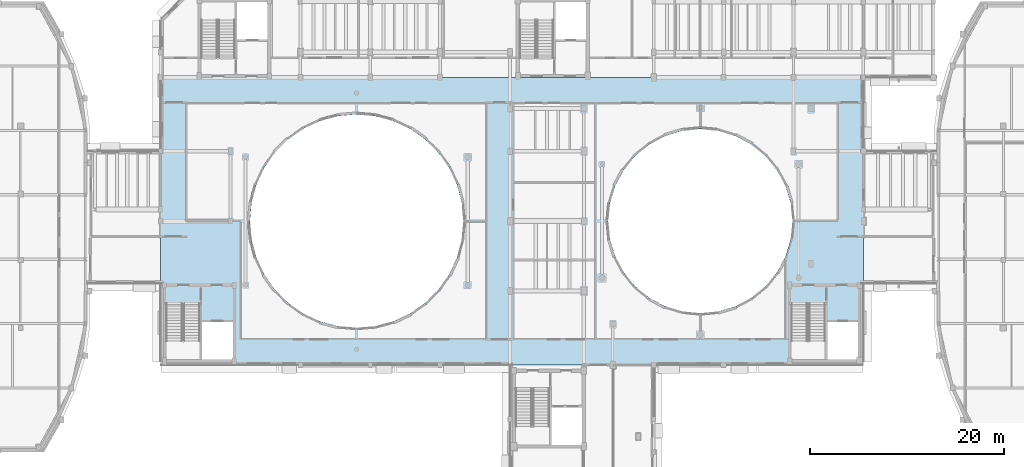
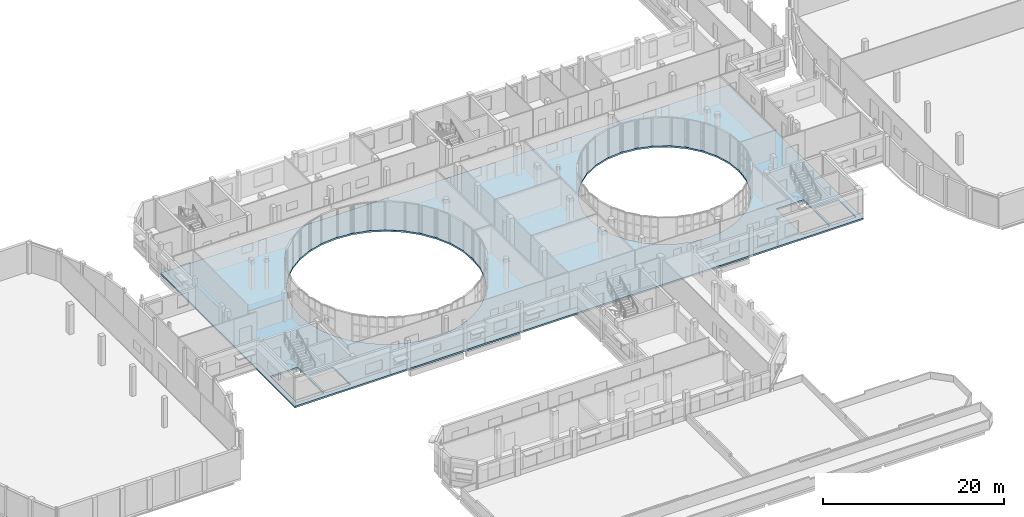
# One storey, part 66 of 105: 1 slab.
"""IFC4 building model written with IfcOpenShell, lengths in metres."""

from ifc_helpers import new_model, si_unit, direction, frame, origin, place, context, subcontext, project, spatial, polyline, outline, extrude, material, layer, layer_set, type_object, element, save


model = new_model("IFC4")

# Units and contexts
model_context = context("Model", 3, precision=1e-05, world=origin(), true_north=direction((0.0, 1.0)))
body_context = subcontext(model_context, "Body", "Model", "MODEL_VIEW")
ifc_project = project(units=[si_unit("LENGTHUNIT", "METRE"), si_unit("AREAUNIT", "SQUARE_METRE"), si_unit("VOLUMEUNIT", "CUBIC_METRE"), si_unit("PLANEANGLEUNIT", "RADIAN"), si_unit("MASSUNIT", "GRAM", prefix="KILO")], contexts=[model_context])

# Site, building, storey
site_placement = place(None, origin())
site = spatial("IfcSite", under=ifc_project, at=site_placement, CompositionType="ELEMENT")
building_placement = place(site_placement, origin())
building = spatial("IfcBuilding", under=site, at=building_placement, Name="Kelanivale Promenade Academy", CompositionType="ELEMENT")
storey_placement = place(building_placement, frame((0.0, 0.0, 4.199951171875)))
storey = spatial("IfcBuildingStorey", under=building, at=storey_placement, Name="L01", CompositionType="ELEMENT", Elevation=4.199951171875)

# Slab
ifc_material = material(Name="Concrete C35/45", Category="concrete")
ifc_layer = layer(ifc_material, 0.219970703125)
ifc_layer_set = layer_set([ifc_layer], Name="Concrete C35/45")
slab_type = type_object("IfcSlabType", Name="FS-01 Slab 220mm", PredefinedType="FLOOR", material=ifc_layer_set)
slab_placement = place(storey_placement, frame((0.0, 0.0, -0.219970703125)))
element("IfcSlab", 1, at=slab_placement, inside=storey, type_object=slab_type, Name="L01 structural slab SLB-L01-V4C", PredefinedType="FLOOR", context=body_context, shape_type="SweptSolid", body=[
    extrude(outline(polyline([(115.60009765625, 42.0), (115.60009765625, 71.60009765625), (43.199951171875, 71.60009765625), (43.199951171875, 42.0), (115.60009765625, 42.0)]), holes=[polyline([(115.034912109375, 42.56494140625), (111.885009765625, 42.56494140625), (111.885009765625, 46.425048828125), (115.034912109375, 46.425048828125), (115.034912109375, 42.56494140625)]), polyline([(111.6650390625, 48.344970703125), (111.6650390625, 42.56494140625), (108.1650390625, 42.56494140625), (108.1650390625, 48.344970703125), (111.6650390625, 48.344970703125)]), polyline([(95.1650390625, 65.576904296875), (96.947021484375, 66.116943359375), (98.800048828125, 66.300048828125), (100.653076171875, 66.116943359375), (102.43505859375, 65.576904296875), (104.077880859375, 64.698974609375), (105.51806640625, 63.51806640625), (106.698974609375, 62.077880859375), (107.576904296875, 60.43505859375), (108.116943359375, 58.653076171875), (108.300048828125, 56.800048828125), (108.116943359375, 54.947021484375), (107.576904296875, 53.1650390625), (106.698974609375, 51.52197265625), (105.51806640625, 50.08203125), (104.077880859375, 48.90087890625), (102.43505859375, 48.02294921875), (100.653076171875, 47.48291015625), (98.800048828125, 47.300048828125), (96.947021484375, 47.48291015625), (95.1650390625, 48.02294921875), (93.52197265625, 48.90087890625), (92.08203125, 50.08203125), (90.90087890625, 51.52197265625), (90.02294921875, 53.1650390625), (89.48291015625, 54.947021484375), (89.300048828125, 56.800048828125), (89.48291015625, 58.653076171875), (90.02294921875, 60.43505859375), (90.90087890625, 62.077880859375), (92.08203125, 63.51806640625), (93.52197265625, 64.698974609375), (95.1650390625, 65.576904296875)]), polyline([(61.489990234375, 67.633056640625), (63.39990234375, 67.800048828125), (65.31005859375, 67.633056640625), (67.162109375, 67.136962890625), (68.89990234375, 66.325927734375), (70.470947265625, 65.22607421875), (71.825927734375, 63.87109375), (72.926025390625, 62.300048828125), (73.737060546875, 60.56201171875), (74.23291015625, 58.7099609375), (74.39990234375, 56.800048828125), (74.23291015625, 54.889892578125), (73.737060546875, 53.0380859375), (72.926025390625, 51.300048828125), (71.825927734375, 49.72900390625), (70.470947265625, 48.3740234375), (68.89990234375, 47.27392578125), (67.162109375, 46.462890625), (65.31005859375, 45.967041015625), (63.39990234375, 45.800048828125), (61.489990234375, 45.967041015625), (59.637939453125, 46.462890625), (57.89990234375, 47.27392578125), (56.3291015625, 48.3740234375), (54.97412109375, 49.72900390625), (53.8740234375, 51.300048828125), (53.06298828125, 53.0380859375), (52.56689453125, 54.889892578125), (52.39990234375, 56.800048828125), (52.56689453125, 58.7099609375), (53.06298828125, 60.56201171875), (53.8740234375, 62.300048828125), (54.97412109375, 63.87109375), (56.3291015625, 65.22607421875), (57.89990234375, 66.325927734375), (59.637939453125, 67.136962890625), (61.489990234375, 67.633056640625)]), polyline([(47.485107421875, 46.425048828125), (50.635009765625, 46.425048828125), (50.635009765625, 42.56494140625), (47.485107421875, 42.56494140625), (47.485107421875, 46.425048828125)]), polyline([(43.764892578125, 42.56494140625), (43.764892578125, 48.344970703125), (47.264892578125, 48.344970703125), (47.264892578125, 42.56494140625), (43.764892578125, 42.56494140625)])]), origin(), (0.0, 0.0, 1.0), 0.219970703125),
])

save(model, "model.ifc")
